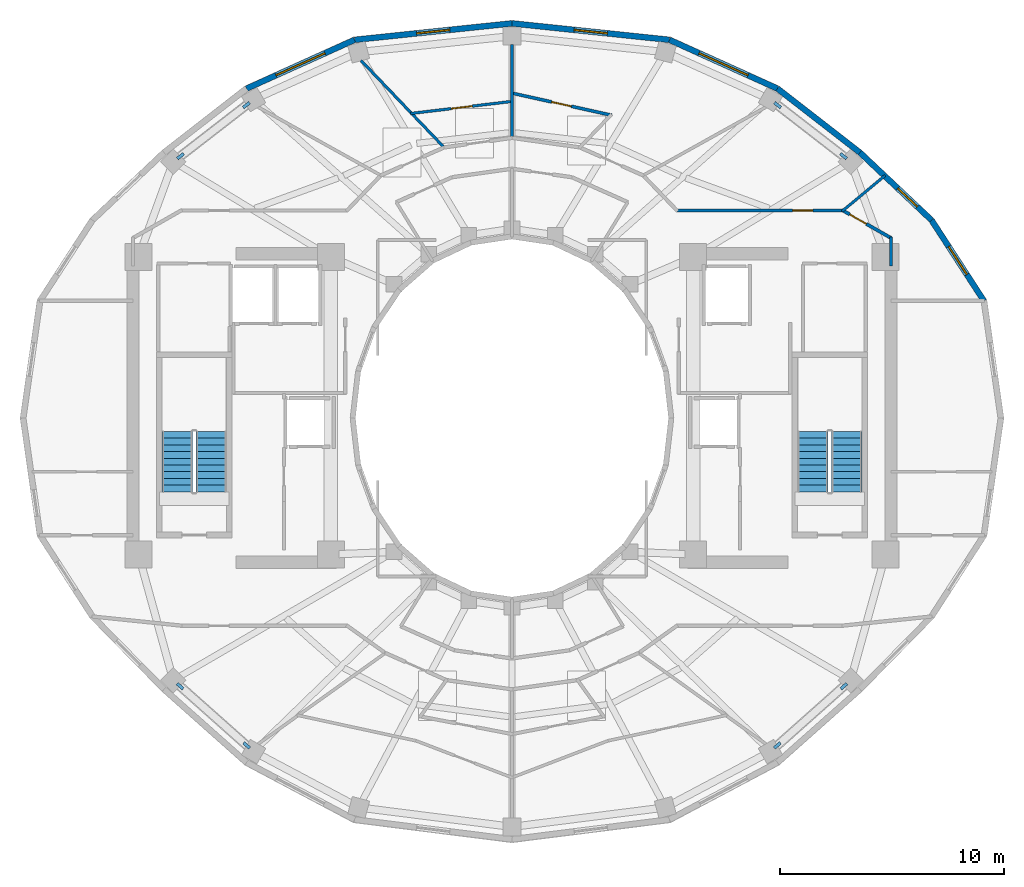
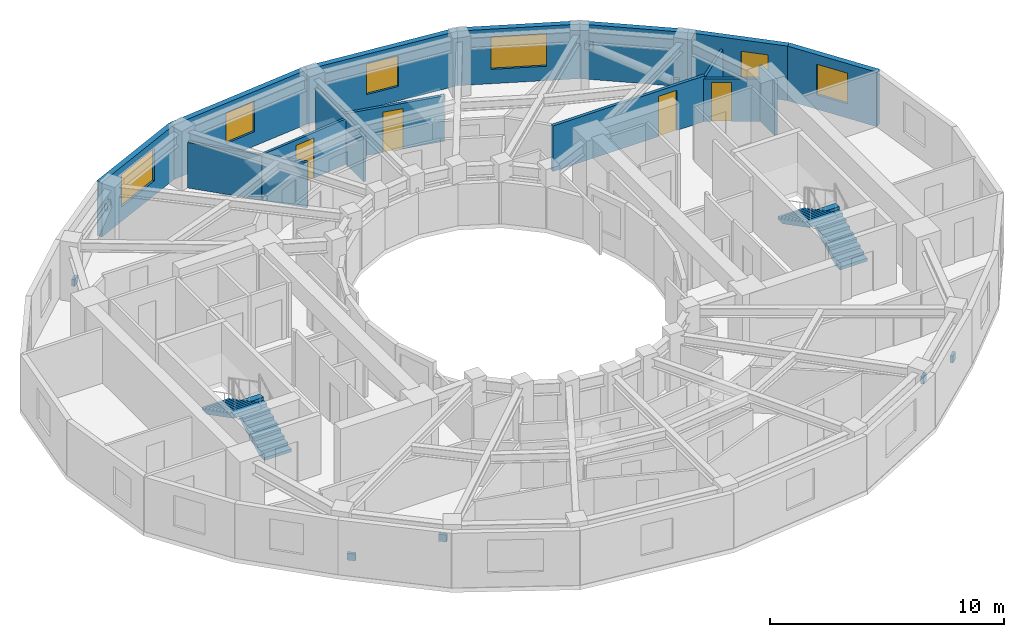
# One storey, part 7 of 9: 15 walls, 8 discrete accessories, 6 windows, 4 doors, 4 stair flights, 10 openings, 2 elements without a shape of their own.
"""IFC4 building model written with IfcOpenShell, lengths in metres."""

from ifc_helpers import new_model, si_unit, direction, frame, frame_2d, origin, origin_2d, place, context, subcontext, project, spatial, polyline, rectangle, outline, extrude, material, layer, layer_set, type_object, element, fill, aggregate, save


model = new_model("IFC4")

# Units and contexts
model_context = context("Model", 3, precision=1e-05, world=origin(), true_north=direction((0.0, 1.0)))
body_context = subcontext(model_context, "Body", "Model", "MODEL_VIEW")
ifc_project = project(units=[si_unit("LENGTHUNIT", "METRE"), si_unit("AREAUNIT", "SQUARE_METRE"), si_unit("VOLUMEUNIT", "CUBIC_METRE"), si_unit("PLANEANGLEUNIT", "RADIAN"), si_unit("MASSUNIT", "GRAM", prefix="KILO")], contexts=[model_context])

# Site, building, storey
site_placement = place(None, origin())
site = spatial("IfcSite", under=ifc_project, at=site_placement, CompositionType="ELEMENT")
building_placement = place(site_placement, origin())
building = spatial("IfcBuilding", under=site, at=building_placement, Name="Solvane Sanctuary Tower", CompositionType="ELEMENT")
storey_placement = place(building_placement, frame((0.0, 0.0, 223.300048828125)))
storey = spatial("IfcBuildingStorey", under=building, at=storey_placement, Name="L68", CompositionType="ELEMENT", Elevation=223.300048828125)

# Wall
ifc_material_1 = material(Name="Acoustic Gypsum Partition Board")
ifc_layer_1 = layer(ifc_material_1, 0.14990234375, Name="Acoustic Gypsum Partition Board")
ifc_layer_set_1 = layer_set([ifc_layer_1], Name="Acoustic Gypsum Partition Board")
wall_type_1 = type_object("IfcWallType", Name="Wall W-CORR-150", PredefinedType="PARTITIONING", material=ifc_layer_set_1)
wall_1_placement = place(storey_placement, frame((48.949951171875, 29.800048828125, 0.0), z_axis=(0.0, 0.0, 1.0), x_axis=(0.0, 1.0, 0.0)))
element("IfcWall", 1, at=wall_1_placement, inside=storey, type_object=wall_type_1, Name="L68 NE Corner Closer 1", PredefinedType="PARTITIONING", context=body_context, shape_type="SweptSolid", body=[
    extrude(rectangle(XDim=1.2900390625, YDim=0.14990234375, at=frame_2d((0.64501953125, 0.0))), origin(), (0.0, 0.0, 1.0), 2.85498046875),
])

# Wall, opening, door
wall_2_placement = place(storey_placement, frame((39.330078125, 32.280029296875, 0.0), z_axis=(0.0, 0.0, 1.0), x_axis=(1.0, 0.0, 0.0)))
wall_2 = element("IfcWall", 2, at=wall_2_placement, inside=storey, type_object=wall_type_1, Name="L68 NE Corner Corridor Wall", PredefinedType="PARTITIONING", context=body_context, shape_type="SweptSolid", body=[
    extrude(rectangle(XDim=7.52001953125, YDim=0.14990234375, at=frame_2d((3.760009765625, 0.0))), origin(), (0.0, 0.0, 1.0), 2.3759765625),
])
opening_1_placement = place(wall_2_placement, frame((5.219970703125, 0.0, 0.0)))
opening_1 = element("IfcOpeningElement", 3, at=opening_1_placement, cuts=wall_2, Name="Opening D-L68-17", PredefinedType="OPENING", context=body_context, shape_type="SweptSolid", body=[
    extrude(rectangle(XDim=0.89990234375, YDim=2.10009765625, at=frame_2d((0.449951171875, 1.050048828125))), frame((0.0, 0.0849609375, 0.0), z_axis=(0.0, -1.0, 0.0), x_axis=(1.0, 0.0, 0.0)), (0.0, 0.0, 1.0), 0.169921875),
])
ifc_material_2 = material(Name="Engineered Tropical Hardwood", Category="wood")
door_type_1 = type_object("IfcDoorType", Name="Door D-WET-900", OperationType="NOTDEFINED", PredefinedType="DOOR", material=ifc_material_2)
door_1_placement = place(opening_1_placement, origin())
door_1 = element("IfcDoor", 4, at=door_1_placement, inside=storey, type_object=door_type_1, Name="L68 NE Corner Salon Door", OperationType="SINGLE_SWING_RIGHT", OverallHeight=2.10009765625, OverallWidth=0.89990234375, PredefinedType="DOOR", context=body_context, shape_type="SweptSolid", body=[
    extrude(rectangle(XDim=0.89990234375, YDim=2.10009765625, at=frame_2d((0.449951171875, 1.050048828125))), frame((0.0, 0.02490234375, 0.0), z_axis=(0.0, -1.0, 0.0), x_axis=(1.0, 0.0, 0.0)), (0.0, 0.0, 1.0), 0.050048828125),
])
fill(opening_1, door_1)

wall_3_placement = place(storey_placement, frame((46.756591796875, 32.3046875, 0.0), z_axis=(0.0, 0.0, 1.0), x_axis=(0.867991349648, -0.496579315857, 0.0)))
wall_3 = element("IfcWall", 5, at=wall_3_placement, inside=storey, type_object=wall_type_1, Name="L68 NE Corner Wing Wall", PredefinedType="PARTITIONING", context=body_context, shape_type="SweptSolid", body=[
    extrude(rectangle(XDim=2.56689453125, YDim=0.14990234375, at=frame_2d((1.283447265625, 0.0))), origin(), (0.0, 0.0, 1.0), 2.219970703125),
])
opening_2_placement = place(wall_3_placement, frame((0.404052734375, 0.0, 0.0)))
opening_2 = element("IfcOpeningElement", 6, at=opening_2_placement, cuts=wall_3, Name="Opening D-L68-18", PredefinedType="OPENING", context=body_context, shape_type="SweptSolid", body=[
    extrude(rectangle(XDim=0.85009765625, YDim=2.050048828125, at=frame_2d((0.425048828125, 1.02490234375))), frame((0.0, 0.0849609375, 0.0), z_axis=(0.0, -1.0, 0.0), x_axis=(1.0, 0.0, 0.0)), (0.0, 0.0, 1.0), 0.169921875),
])
ifc_material_3 = material(Name="Architectural Stainless Steel 316", Category="steel")
door_type_2 = type_object("IfcDoorType", Name="Door D-RISER", OperationType="NOTDEFINED", PredefinedType="DOOR", material=ifc_material_3)
door_2_placement = place(opening_2_placement, origin())
door_2 = element("IfcDoor", 7, at=door_2_placement, inside=storey, type_object=door_type_2, Name="L68 NE Corner Suite Door", OperationType="SINGLE_SWING_LEFT", OverallHeight=2.050048828125, OverallWidth=0.85009765625, PredefinedType="DOOR", context=body_context, shape_type="SweptSolid", body=[
    extrude(rectangle(XDim=0.85009765625, YDim=2.050048828125, at=frame_2d((0.425048828125, 1.02490234375))), frame((0.0, 0.02490234375, 0.0), z_axis=(0.0, -1.0, 0.0), x_axis=(1.0, 0.0, 0.0)), (0.0, 0.0, 1.0), 0.050048828125),
])
fill(opening_2, door_2)

# Wall, opening, window
ifc_material_4 = material(Name="Precast concrete C40/50", Category="concrete")
ifc_layer_2 = layer(ifc_material_4, 0.260009765625, Name="Precast concrete C40/50")
ifc_layer_set_2 = layer_set([ifc_layer_2], Name="Precast concrete C40/50")
wall_type_2 = type_object("IfcWallType", Name="Wall W-EXT-250", PredefinedType="STANDARD", material=ifc_layer_set_2)
wall_4_placement = place(storey_placement, frame((53.104736328125, 28.23876953125, 0.0), z_axis=(0.0, 0.0, 1.0), x_axis=(-0.544475908819, 0.838776480784, 0.0)))
wall_4 = element("IfcWall", 8, at=wall_4_placement, inside=storey, type_object=wall_type_2, Name="L68 Ceramic-Printed Facade Wall 01", PredefinedType="STANDARD", context=body_context, shape_type="SweptSolid", body=[
    extrude(rectangle(XDim=4.3046875, YDim=0.260009765625, at=frame_2d((2.15234375, 0.0))), origin(), (0.0, 0.0, 1.0), 2.849853515625),
])
opening_3_placement = place(wall_4_placement, frame((1.40234375, 0.0, 0.75)))
opening_3 = element("IfcOpeningElement", 9, at=opening_3_placement, cuts=wall_4, Name="Opening WN-OPER-1500", PredefinedType="OPENING", context=body_context, shape_type="SweptSolid", body=[
    extrude(rectangle(XDim=1.5, YDim=1.60009765625, at=frame_2d((0.75, 0.800048828125))), frame((0.0, 0.139892578125, 0.0), z_axis=(0.0, -1.0, 0.0), x_axis=(1.0, 0.0, 0.0)), (0.0, 0.0, 1.0), 0.280029296875),
])
ifc_material_5 = material(Name="Dark Ceramic-Fritted Low-E Glass", Category="glass")
window_type_1 = type_object("IfcWindowType", Name="Window WN-OPER-1500", PartitioningType="SINGLE_PANEL", PredefinedType="WINDOW", material=ifc_material_5)
window_1_placement = place(opening_3_placement, origin())
window_1 = element("IfcWindow", 10, at=window_1_placement, inside=storey, type_object=window_type_1, Name="L68 Operable Facade Window 01", OverallHeight=1.60009765625, OverallWidth=1.5, PartitioningType="SINGLE_PANEL", PredefinedType="WINDOW", context=body_context, shape_type="SweptSolid", body=[
    extrude(rectangle(XDim=1.5, YDim=1.60009765625, at=frame_2d((0.75, 0.800048828125))), frame((0.0, 0.030029296875, 0.0), z_axis=(0.0, -1.0, 0.0), x_axis=(1.0, 0.0, 0.0)), (0.0, 0.0, 1.0), 0.06005859375),
])
fill(opening_3, window_1)

wall_5_placement = place(storey_placement, frame((50.760986328125, 31.849365234375, 0.0), z_axis=(0.0, 0.0, 1.0), x_axis=(-0.72731899451, 0.686299555752, 0.0)))
wall_5 = element("IfcWall", 11, at=wall_5_placement, inside=storey, type_object=wall_type_2, Name="L68 Ceramic-Printed Facade Wall 02", PredefinedType="STANDARD", context=body_context, shape_type="SweptSolid", body=[
    extrude(rectangle(XDim=4.404296875, YDim=0.260009765625, at=frame_2d((2.2021484375, 0.0))), origin(), (0.0, 0.0, 1.0), 2.849853515625),
])
opening_4_placement = place(wall_5_placement, frame((0.8671875, 0.0, 0.75)))
opening_4 = element("IfcOpeningElement", 12, at=opening_4_placement, cuts=wall_5, Name="Opening WN-OPER-1200", PredefinedType="OPENING", context=body_context, shape_type="SweptSolid", body=[
    extrude(rectangle(XDim=1.199951171875, YDim=1.5, at=frame_2d((0.60009765625, 0.75))), frame((0.0, 0.139892578125, 0.0), z_axis=(0.0, -1.0, 0.0), x_axis=(1.0, 0.0, 0.0)), (0.0, 0.0, 1.0), 0.280029296875),
])
window_type_2 = type_object("IfcWindowType", Name="Window WN-OPER-1200", PartitioningType="SINGLE_PANEL", PredefinedType="WINDOW", material=ifc_material_5)
window_2_placement = place(opening_4_placement, origin())
window_2 = element("IfcWindow", 13, at=window_2_placement, inside=storey, type_object=window_type_2, Name="L68 Operable Facade Window 02", OverallHeight=1.5, OverallWidth=1.199951171875, PartitioningType="SINGLE_PANEL", PredefinedType="WINDOW", context=body_context, shape_type="SweptSolid", body=[
    extrude(rectangle(XDim=1.199951171875, YDim=1.5, at=frame_2d((0.60009765625, 0.75))), frame((0.0, 0.030029296875, 0.0), z_axis=(0.0, -1.0, 0.0), x_axis=(1.0, 0.0, 0.0)), (0.0, 0.0, 1.0), 0.06005859375),
])
fill(opening_4, window_2)

# Wall
wall_6_placement = place(storey_placement, frame((47.5576171875, 34.8720703125, 0.0), z_axis=(0.0, 0.0, 1.0), x_axis=(-0.790126214723, 0.612944177563, 0.0)))
element("IfcWall", 14, at=wall_6_placement, inside=storey, type_object=wall_type_2, Name="L68 Ceramic-Printed Facade Wall 03", PredefinedType="STANDARD", context=body_context, shape_type="SweptSolid", body=[
    extrude(rectangle(XDim=4.6669921875, YDim=0.260009765625, at=frame_2d((2.33349609375, 0.0))), origin(), (0.0, 0.0, 1.0), 2.849853515625),
])

# Wall, opening, window
wall_7_placement = place(storey_placement, frame((43.8701171875, 37.732666015625, 0.0), z_axis=(0.0, 0.0, 1.0), x_axis=(-0.911427484938, 0.411460738952, 0.0)))
wall_7 = element("IfcWall", 15, at=wall_7_placement, inside=storey, type_object=wall_type_2, Name="L68 Ceramic-Printed Facade Wall 04", PredefinedType="STANDARD", context=body_context, shape_type="SweptSolid", body=[
    extrude(rectangle(XDim=5.296142578125, YDim=0.260009765625, at=frame_2d((2.64794921875, 0.0))), origin(), (0.0, 0.0, 1.0), 2.849853515625),
])
opening_5_placement = place(wall_7_placement, frame((1.447998046875, 0.0, 0.75)))
opening_5 = element("IfcOpeningElement", 16, at=opening_5_placement, cuts=wall_7, Name="Opening WN-RIB-2400", PredefinedType="OPENING", context=body_context, shape_type="SweptSolid", body=[
    extrude(rectangle(XDim=2.39990234375, YDim=1.699951171875, at=frame_2d((1.199951171875, 0.85009765625))), frame((0.0, 0.139892578125, 0.0), z_axis=(0.0, -1.0, 0.0), x_axis=(1.0, 0.0, 0.0)), (0.0, 0.0, 1.0), 0.280029296875),
])
window_type_3 = type_object("IfcWindowType", Name="Window WN-RIB-2400", PartitioningType="SINGLE_PANEL", PredefinedType="WINDOW", material=ifc_material_5)
window_3_placement = place(opening_5_placement, origin())
window_3 = element("IfcWindow", 17, at=window_3_placement, inside=storey, type_object=window_type_3, Name="L68 Operable Facade Window 04", OverallHeight=1.699951171875, OverallWidth=2.39990234375, PartitioningType="SINGLE_PANEL", PredefinedType="WINDOW", context=body_context, shape_type="SweptSolid", body=[
    extrude(rectangle(XDim=2.39990234375, YDim=1.699951171875, at=frame_2d((1.199951171875, 0.85009765625))), frame((0.0, 0.030029296875, 0.0), z_axis=(0.0, -1.0, 0.0), x_axis=(1.0, 0.0, 0.0)), (0.0, 0.0, 1.0), 0.06005859375),
])
fill(opening_5, window_3)

wall_8_placement = place(storey_placement, frame((39.04296875, 39.911865234375, 0.0), z_axis=(0.0, 0.0, 1.0), x_axis=(-0.994582822721, 0.103947144014, 0.0)))
wall_8 = element("IfcWall", 18, at=wall_8_placement, inside=storey, type_object=wall_type_2, Name="L68 Ceramic-Printed Facade Wall 05", PredefinedType="STANDARD", context=body_context, shape_type="SweptSolid", body=[
    extrude(rectangle(XDim=7.081298828125, YDim=0.260009765625, at=frame_2d((3.54052734375, 0.0))), origin(), (0.0, 0.0, 1.0), 2.849853515625),
])
opening_6_placement = place(wall_8_placement, frame((2.790771484375, 0.0, 0.75)))
opening_6 = element("IfcOpeningElement", 19, at=opening_6_placement, cuts=wall_8, Name="Opening WN-OPER-1500", PredefinedType="OPENING", context=body_context, shape_type="SweptSolid", body=[
    extrude(rectangle(XDim=1.5, YDim=1.60009765625, at=frame_2d((0.75, 0.800048828125))), frame((0.0, 0.139892578125, 0.0), z_axis=(0.0, -1.0, 0.0), x_axis=(1.0, 0.0, 0.0)), (0.0, 0.0, 1.0), 0.280029296875),
])
window_4_placement = place(opening_6_placement, origin())
window_4 = element("IfcWindow", 20, at=window_4_placement, inside=storey, type_object=window_type_1, Name="L68 Operable Facade Window 05", OverallHeight=1.60009765625, OverallWidth=1.5, PartitioningType="SINGLE_PANEL", PredefinedType="WINDOW", context=body_context, shape_type="SweptSolid", body=[
    extrude(rectangle(XDim=1.5, YDim=1.60009765625, at=frame_2d((0.75, 0.800048828125))), frame((0.0, 0.030029296875, 0.0), z_axis=(0.0, -1.0, 0.0), x_axis=(1.0, 0.0, 0.0)), (0.0, 0.0, 1.0), 0.06005859375),
])
fill(opening_6, window_4)

wall_9_placement = place(storey_placement, frame((32.0, 40.64794921875, 0.0), z_axis=(0.0, 0.0, 1.0), x_axis=(-0.994582822721, -0.103947144014, 0.0)))
wall_9 = element("IfcWall", 21, at=wall_9_placement, inside=storey, type_object=wall_type_2, Name="L68 Ceramic-Printed Facade Wall 06", PredefinedType="STANDARD", context=body_context, shape_type="SweptSolid", body=[
    extrude(rectangle(XDim=7.081298828125, YDim=0.260009765625, at=frame_2d((3.54052734375, 0.0))), origin(), (0.0, 0.0, 1.0), 2.849853515625),
])
opening_7_placement = place(wall_9_placement, frame((2.790771484375, 0.0, 0.75)))
opening_7 = element("IfcOpeningElement", 22, at=opening_7_placement, cuts=wall_9, Name="Opening WN-OPER-1500", PredefinedType="OPENING", context=body_context, shape_type="SweptSolid", body=[
    extrude(rectangle(XDim=1.5, YDim=1.60009765625, at=frame_2d((0.75, 0.800048828125))), frame((0.0, 0.139892578125, 0.0), z_axis=(0.0, -1.0, 0.0), x_axis=(1.0, 0.0, 0.0)), (0.0, 0.0, 1.0), 0.280029296875),
])
window_5_placement = place(opening_7_placement, origin())
window_5 = element("IfcWindow", 23, at=window_5_placement, inside=storey, type_object=window_type_1, Name="L68 Operable Facade Window 06", OverallHeight=1.60009765625, OverallWidth=1.5, PartitioningType="SINGLE_PANEL", PredefinedType="WINDOW", context=body_context, shape_type="SweptSolid", body=[
    extrude(rectangle(XDim=1.5, YDim=1.60009765625, at=frame_2d((0.75, 0.800048828125))), frame((0.0, 0.030029296875, 0.0), z_axis=(0.0, -1.0, 0.0), x_axis=(1.0, 0.0, 0.0)), (0.0, 0.0, 1.0), 0.06005859375),
])
fill(opening_7, window_5)

wall_10_placement = place(storey_placement, frame((24.95703125, 39.911865234375, 0.0), z_axis=(0.0, 0.0, 1.0), x_axis=(-0.911427484938, -0.411460738952, 0.0)))
wall_10 = element("IfcWall", 24, at=wall_10_placement, inside=storey, type_object=wall_type_2, Name="L68 Ceramic-Printed Facade Wall 07", PredefinedType="STANDARD", context=body_context, shape_type="SweptSolid", body=[
    extrude(rectangle(XDim=5.296142578125, YDim=0.260009765625, at=frame_2d((2.64794921875, 0.0))), origin(), (0.0, 0.0, 1.0), 2.849853515625),
])
opening_8_placement = place(wall_10_placement, frame((1.447998046875, 0.0, 0.75)))
opening_8 = element("IfcOpeningElement", 25, at=opening_8_placement, cuts=wall_10, Name="Opening WN-RIB-2400", PredefinedType="OPENING", context=body_context, shape_type="SweptSolid", body=[
    extrude(rectangle(XDim=2.39990234375, YDim=1.699951171875, at=frame_2d((1.199951171875, 0.85009765625))), frame((0.0, 0.139892578125, 0.0), z_axis=(0.0, -1.0, 0.0), x_axis=(1.0, 0.0, 0.0)), (0.0, 0.0, 1.0), 0.280029296875),
])
window_6_placement = place(opening_8_placement, origin())
window_6 = element("IfcWindow", 26, at=window_6_placement, inside=storey, type_object=window_type_3, Name="L68 Operable Facade Window 07", OverallHeight=1.699951171875, OverallWidth=2.39990234375, PartitioningType="SINGLE_PANEL", PredefinedType="WINDOW", context=body_context, shape_type="SweptSolid", body=[
    extrude(rectangle(XDim=2.39990234375, YDim=1.699951171875, at=frame_2d((1.199951171875, 0.85009765625))), frame((0.0, 0.030029296875, 0.0), z_axis=(0.0, -1.0, 0.0), x_axis=(1.0, 0.0, 0.0)), (0.0, 0.0, 1.0), 0.06005859375),
])
fill(opening_8, window_6)

# Wall
ifc_layer_3 = layer(ifc_material_1, 0.1201171875, Name="Acoustic Gypsum Partition Board")
ifc_layer_set_3 = layer_set([ifc_layer_3], Name="Acoustic Gypsum Partition Board")
wall_type_3 = type_object("IfcWallType", Name="Wall W-MOV-100", PredefinedType="MOVABLE", material=ifc_layer_set_3)
wall_11_placement = place(storey_placement, frame((46.76171875, 32.248046875, 0.0), z_axis=(0.0, 0.0, 1.0), x_axis=(0.76890954941, 0.639357571962, 0.0)))
element("IfcWall", 27, at=wall_11_placement, inside=storey, type_object=wall_type_3, Name="L68 NE Corner Suite Partition", PredefinedType="MOVABLE", context=body_context, shape_type="SweptSolid", body=[
    extrude(rectangle(XDim=2.498779296875, YDim=0.1201171875, at=frame_2d((1.24951171875, 0.0))), origin(), (0.0, 0.0, 1.0), 2.219970703125),
])

# Wall, opening, door
wall_12_placement = place(storey_placement, frame((32.049560546875, 37.165771484375, 0.0), z_axis=(0.0, 0.0, 1.0), x_axis=(-0.992963303559, -0.118422454736, 0.0)))
wall_12 = element("IfcWall", 28, at=wall_12_placement, inside=storey, type_object=wall_type_3, Name="L68 Suite Sitting Lounge Partition N2", PredefinedType="MOVABLE", context=body_context, shape_type="SweptSolid", body=[
    extrude(rectangle(XDim=4.6220703125, YDim=0.1201171875, at=frame_2d((2.31103515625, 0.0))), origin(), (0.0, 0.0, 1.0), 2.3759765625),
])
opening_9_placement = place(wall_12_placement, frame((1.836181640625, 0.0, 0.0)))
opening_9 = element("IfcOpeningElement", 29, at=opening_9_placement, cuts=wall_12, Name="Opening D-L68-24", PredefinedType="OPENING", context=body_context, shape_type="SweptSolid", body=[
    extrude(rectangle(XDim=0.949951171875, YDim=2.10009765625, at=frame_2d((0.47509765625, 1.050048828125))), frame((0.0, 0.070068359375, 0.0), z_axis=(0.0, -1.0, 0.0), x_axis=(1.0, 0.0, 0.0)), (0.0, 0.0, 1.0), 0.14013671875),
])
door_type_3 = type_object("IfcDoorType", Name="Door D-ROOM-950", OperationType="NOTDEFINED", PredefinedType="DOOR", material=ifc_material_2)
door_3_placement = place(opening_9_placement, origin())
door_3 = element("IfcDoor", 30, at=door_3_placement, inside=storey, type_object=door_type_3, Name="L68 Suite Sitting Lounge Door N2", OperationType="SINGLE_SWING_LEFT", OverallHeight=2.10009765625, OverallWidth=0.949951171875, PredefinedType="DOOR", context=body_context, shape_type="SweptSolid", body=[
    extrude(rectangle(XDim=0.949951171875, YDim=2.10009765625, at=frame_2d((0.47509765625, 1.050048828125))), frame((0.0, 0.02490234375, 0.0), z_axis=(0.0, -1.0, 0.0), x_axis=(1.0, 0.0, 0.0)), (0.0, 0.0, 1.0), 0.050048828125),
])
fill(opening_9, door_3)

# Walls
ifc_layer_4 = layer(ifc_material_1, 0.125, Name="Acoustic Gypsum Partition Board")
ifc_layer_set_4 = layer_set([ifc_layer_4], Name="Acoustic Gypsum Partition Board")
wall_type_4 = type_object("IfcWallType", Name="Wall W-PART-125", PredefinedType="PARTITIONING", material=ifc_layer_set_4)
wall_13_placement = place(storey_placement, frame((32.0, 35.5849609375, 0.0), z_axis=(0.0, 0.0, 1.0), x_axis=(0.0, 1.0, 0.0)))
element("IfcWall", 31, at=wall_13_placement, inside=storey, type_object=wall_type_4, Name="L68 Radial Compartment Wall 090", PredefinedType="PARTITIONING", context=body_context, shape_type="SweptSolid", body=[
    extrude(rectangle(XDim=4.114990234375, YDim=0.125, at=frame_2d((2.0576171875, 0.0))), origin(), (0.0, 0.0, 1.0), 2.3759765625),
])
wall_14_placement = place(storey_placement, frame((28.926025390625, 35.142822265625, 0.0), z_axis=(0.0, 0.0, 1.0), x_axis=(-0.691128003726, 0.722732372642, 0.0)))
element("IfcWall", 32, at=wall_14_placement, inside=storey, type_object=wall_type_4, Name="L68 Radial Compartment Wall 105", PredefinedType="PARTITIONING", context=body_context, shape_type="SweptSolid", body=[
    extrude(rectangle(XDim=5.330078125, YDim=0.125, at=frame_2d((2.6650390625, 0.0))), origin(), (0.0, 0.0, 1.0), 2.3759765625),
])

# Wall, opening, door
ifc_layer_5 = layer(ifc_material_1, 0.139892578125, Name="Acoustic Gypsum Partition Board")
ifc_layer_set_5 = layer_set([ifc_layer_5], Name="Acoustic Gypsum Partition Board")
wall_type_5 = type_object("IfcWallType", Name="Wall W-WET-140", PredefinedType="PLUMBINGWALL", material=ifc_layer_set_5)
wall_15_placement = place(storey_placement, frame((36.467041015625, 36.537841796875, 0.0), z_axis=(0.0, 0.0, 1.0), x_axis=(-0.976214372251, 0.21680751696, 0.0)))
wall_15 = element("IfcWall", 33, at=wall_15_placement, inside=storey, type_object=wall_type_5, Name="L68 En-suite Bedroom Wall N1", PredefinedType="PLUMBINGWALL", context=body_context, shape_type="SweptSolid", body=[
    extrude(rectangle(XDim=4.6259765625, YDim=0.139892578125, at=frame_2d((2.31298828125, 0.0))), origin(), (0.0, 0.0, 1.0), 2.3759765625),
])
opening_10_placement = place(wall_15_placement, frame((1.86279296875, 0.0, 0.0)))
opening_10 = element("IfcOpeningElement", 34, at=opening_10_placement, cuts=wall_15, Name="Opening D-L68-22", PredefinedType="OPENING", context=body_context, shape_type="SweptSolid", body=[
    extrude(rectangle(XDim=0.89990234375, YDim=2.10009765625, at=frame_2d((0.449951171875, 1.050048828125))), frame((0.0, 0.079833984375, 0.0), z_axis=(0.0, -1.0, 0.0), x_axis=(1.0, 0.0, 0.0)), (0.0, 0.0, 1.0), 0.159912109375),
])
door_4_placement = place(opening_10_placement, origin())
door_4 = element("IfcDoor", 35, at=door_4_placement, inside=storey, type_object=door_type_1, Name="L68 En-suite Bathroom Door N1", OperationType="SINGLE_SWING_LEFT", OverallHeight=2.10009765625, OverallWidth=0.89990234375, PredefinedType="DOOR", context=body_context, shape_type="SweptSolid", body=[
    extrude(rectangle(XDim=0.89990234375, YDim=2.10009765625, at=frame_2d((0.449951171875, 1.050048828125))), frame((0.0, 0.02490234375, 0.0), z_axis=(0.0, -1.0, 0.0), x_axis=(1.0, 0.0, 0.0)), (0.0, 0.0, 1.0), 0.050048828125),
])
fill(opening_10, door_4)

# Stair, stair flights
ifc_material_6 = material(Name="Concrete C45/55", Category="concrete")
stair_type = type_object("IfcStairType", Name="Stair ST-TOW", PredefinedType="HALF_TURN_STAIR", material=ifc_material_6)
stair_1_placement = place(storey_placement, origin())
stair_1 = element("IfcStair", 36, at=stair_1_placement, inside=storey, type_object=stair_type, Name="L68 Exit Stair ST-1 West Core", PredefinedType="HALF_TURN_STAIR")
stair_flight_type = type_object("IfcStairFlightType", Name="StairFlight SF-TOW", PredefinedType="STRAIGHT", material=ifc_material_6)
stair_flight_1_placement = place(storey_placement, frame((18.544921875, 19.699951171875, 0.0), z_axis=(0.0, 0.0, 1.0), x_axis=(0.0, 1.0, 0.0)))
stair_flight_1 = element("IfcStairFlight", 37, at=stair_flight_1_placement, type_object=stair_flight_type, Name="ST-1 flight 1", NumberOfRisers=10, NumberOfTreads=9, PredefinedType="STRAIGHT", RiserHeight=0.155, TreadLength=0.3, context=body_context, shape_type="SweptSolid", body=[
    extrude(outline(polyline([(0.0, 0.0), (0.0, 0.155029296875), (0.300048828125, 0.155029296875), (0.300048828125, 0.31005859375), (0.60009765625, 0.31005859375), (0.60009765625, 0.465087890625), (0.89990234375, 0.465087890625), (0.89990234375, 0.6201171875), (1.199951171875, 0.6201171875), (1.199951171875, 0.77490234375), (1.5, 0.77490234375), (1.5, 0.929931640625), (1.800048828125, 0.929931640625), (1.800048828125, 1.0849609375), (2.10009765625, 1.0849609375), (2.10009765625, 1.239990234375), (2.39990234375, 1.239990234375), (2.39990234375, 1.39501953125), (2.699951171875, 1.39501953125), (2.699951171875, 1.550048828125), (2.699951171875, 1.1923828125), (0.39208984375, 0.0), (0.0, 0.0)])), frame((0.0, 0.675048828125, 0.0), z_axis=(0.0, -1.0, 0.0), x_axis=(1.0, 0.0, 0.0)), (0.0, 0.0, 1.0), 1.35009765625),
])
stair_flight_2_placement = place(storey_placement, frame((17.034912109375, 22.39990234375, 1.550048828125), z_axis=(0.0, 0.0, 1.0), x_axis=(0.0, -1.0, 0.0)))
stair_flight_2 = element("IfcStairFlight", 38, at=stair_flight_2_placement, type_object=stair_flight_type, Name="ST-1 flight 2", NumberOfRisers=10, NumberOfTreads=9, PredefinedType="STRAIGHT", RiserHeight=0.155, TreadLength=0.3, context=body_context, shape_type="SweptSolid", body=[
    extrude(outline(polyline([(0.0, 0.0), (0.0, 0.155029296875), (0.300048828125, 0.155029296875), (0.300048828125, 0.31005859375), (0.60009765625, 0.31005859375), (0.60009765625, 0.465087890625), (0.89990234375, 0.465087890625), (0.89990234375, 0.6201171875), (1.199951171875, 0.6201171875), (1.199951171875, 0.77490234375), (1.5, 0.77490234375), (1.5, 0.929931640625), (1.800048828125, 0.929931640625), (1.800048828125, 1.0849609375), (2.10009765625, 1.0849609375), (2.10009765625, 1.239990234375), (2.39990234375, 1.239990234375), (2.39990234375, 1.39501953125), (2.699951171875, 1.39501953125), (2.699951171875, 1.550048828125), (2.699951171875, 1.1923828125), (0.39208984375, 0.0), (0.0, 0.0)])), frame((0.0, 0.675048828125, 0.0), z_axis=(0.0, -1.0, 0.0), x_axis=(1.0, 0.0, 0.0)), (0.0, 0.0, 1.0), 1.35009765625),
])
aggregate(stair_1, [stair_flight_1, stair_flight_2])

stair_2_placement = place(storey_placement, origin())
stair_2 = element("IfcStair", 39, at=stair_2_placement, inside=storey, type_object=stair_type, Name="L68 Exit Stair ST-2 East Core", PredefinedType="HALF_TURN_STAIR")
stair_flight_3_placement = place(storey_placement, frame((46.965087890625, 19.699951171875, 0.0), z_axis=(0.0, 0.0, 1.0), x_axis=(0.0, 1.0, 0.0)))
stair_flight_3 = element("IfcStairFlight", 40, at=stair_flight_3_placement, type_object=stair_flight_type, Name="ST-2 flight 1", NumberOfRisers=10, NumberOfTreads=9, PredefinedType="STRAIGHT", RiserHeight=0.155, TreadLength=0.3, context=body_context, shape_type="SweptSolid", body=[
    extrude(outline(polyline([(0.0, 0.0), (0.0, 0.155029296875), (0.300048828125, 0.155029296875), (0.300048828125, 0.31005859375), (0.60009765625, 0.31005859375), (0.60009765625, 0.465087890625), (0.89990234375, 0.465087890625), (0.89990234375, 0.6201171875), (1.199951171875, 0.6201171875), (1.199951171875, 0.77490234375), (1.5, 0.77490234375), (1.5, 0.929931640625), (1.800048828125, 0.929931640625), (1.800048828125, 1.0849609375), (2.10009765625, 1.0849609375), (2.10009765625, 1.239990234375), (2.39990234375, 1.239990234375), (2.39990234375, 1.39501953125), (2.699951171875, 1.39501953125), (2.699951171875, 1.550048828125), (2.699951171875, 1.1923828125), (0.39208984375, 0.0), (0.0, 0.0)])), frame((0.0, 0.675048828125, 0.0), z_axis=(0.0, -1.0, 0.0), x_axis=(1.0, 0.0, 0.0)), (0.0, 0.0, 1.0), 1.35009765625),
])
stair_flight_4_placement = place(storey_placement, frame((45.455078125, 22.39990234375, 1.550048828125), z_axis=(0.0, 0.0, 1.0), x_axis=(0.0, -1.0, 0.0)))
stair_flight_4 = element("IfcStairFlight", 41, at=stair_flight_4_placement, type_object=stair_flight_type, Name="ST-2 flight 2", NumberOfRisers=10, NumberOfTreads=9, PredefinedType="STRAIGHT", RiserHeight=0.155, TreadLength=0.3, context=body_context, shape_type="SweptSolid", body=[
    extrude(outline(polyline([(0.0, 0.0), (0.0, 0.155029296875), (0.300048828125, 0.155029296875), (0.300048828125, 0.31005859375), (0.60009765625, 0.31005859375), (0.60009765625, 0.465087890625), (0.89990234375, 0.465087890625), (0.89990234375, 0.6201171875), (1.199951171875, 0.6201171875), (1.199951171875, 0.77490234375), (1.5, 0.77490234375), (1.5, 0.929931640625), (1.800048828125, 0.929931640625), (1.800048828125, 1.0849609375), (2.10009765625, 1.0849609375), (2.10009765625, 1.239990234375), (2.39990234375, 1.239990234375), (2.39990234375, 1.39501953125), (2.699951171875, 1.39501953125), (2.699951171875, 1.550048828125), (2.699951171875, 1.1923828125), (0.39208984375, 0.0), (0.0, 0.0)])), frame((0.0, 0.675048828125, 0.0), z_axis=(0.0, -1.0, 0.0), x_axis=(1.0, 0.0, 0.0)), (0.0, 0.0, 1.0), 1.35009765625),
])
aggregate(stair_2, [stair_flight_3, stair_flight_4])

# Discrete accessories
ifc_material_7 = material(Name="Steel ASTM A572 Grade 50", Category="steel")
ifc_layer_6 = layer(ifc_material_7, 0.360107421875, Name="Steel ASTM A572 Grade 50")
ifc_layer_set_6 = layer_set([ifc_layer_6], Name="Steel ASTM A572 Grade 50")
discrete_accessory_type = type_object("IfcDiscreteAccessoryType", Name="Accessory ACC-GUSSET-BRK", PredefinedType="BRACKET", material=ifc_layer_set_6)
for number, where, z_axis, x_axis, name in (
    (42, (46.822509765625, 34.71142578125, 0.36767578125), (0.0, 0.0, 1.0), (-0.790689573744, 0.612217280034, 0.0), "L68 Perimeter Braced-Tube Diagonal NE End Gusset Bracket A"),
    (43, (43.8779296875, 36.991455078125, 1.90185546875), (0.0, 0.0, 1.0), (-0.790689573744, 0.612217280034, 0.0), "L68 Perimeter Braced-Tube Diagonal NE End Gusset Bracket B"),
    (44, (17.177490234375, 34.71142578125, 0.36767578125), (0.0, 0.0, 1.0), (0.790689573744, 0.612217280034, 0.0), "L68 Perimeter Braced-Tube Diagonal NW End Gusset Bracket A"),
    (45, (20.1220703125, 36.991455078125, 1.90185546875), (0.0, 0.0, 1.0), (0.790689573744, 0.612217280034, 0.0), "L68 Perimeter Braced-Tube Diagonal NW End Gusset Bracket B"),
    (46, (17.157958984375, 11.009765625, 0.35791015625), (0.0, 0.0, 1.0), (0.747218420912, -0.664578536706, 0.0), "L68 Perimeter Braced-Tube Diagonal SW End Gusset Bracket A"),
    (47, (20.13623046875, 8.360595703125, 1.9091796875), (0.0, 0.0, 1.0), (0.747218420912, -0.664578536706, 0.0), "L68 Perimeter Braced-Tube Diagonal SW End Gusset Bracket B"),
    (48, (46.842041015625, 11.009765625, 0.35791015625), (0.0, 0.0, 1.0), (-0.747218420912, -0.664578536706, 0.0), "L68 Perimeter Braced-Tube Diagonal SE End Gusset Bracket A"),
    (49, (43.86376953125, 8.360595703125, 1.9091796875), (0.0, 0.0, 1.0), (-0.747218420912, -0.664578536706, 0.0), "L68 Perimeter Braced-Tube Diagonal SE End Gusset Bracket B"),
):
    element("IfcDiscreteAccessory", number, at=place(storey_placement, frame(where, z_axis=z_axis, x_axis=x_axis)), inside=storey, type_object=discrete_accessory_type, Name=name, PredefinedType="BRACKET", context=body_context, shape_type="SweptSolid", body=[
        extrude(rectangle(XDim=0.360107421875, YDim=0.139892578125, at=origin_2d()), origin(), (0.0, 0.0, 1.0), 0.360107421875),
    ])

save(model, "model.ifc")
